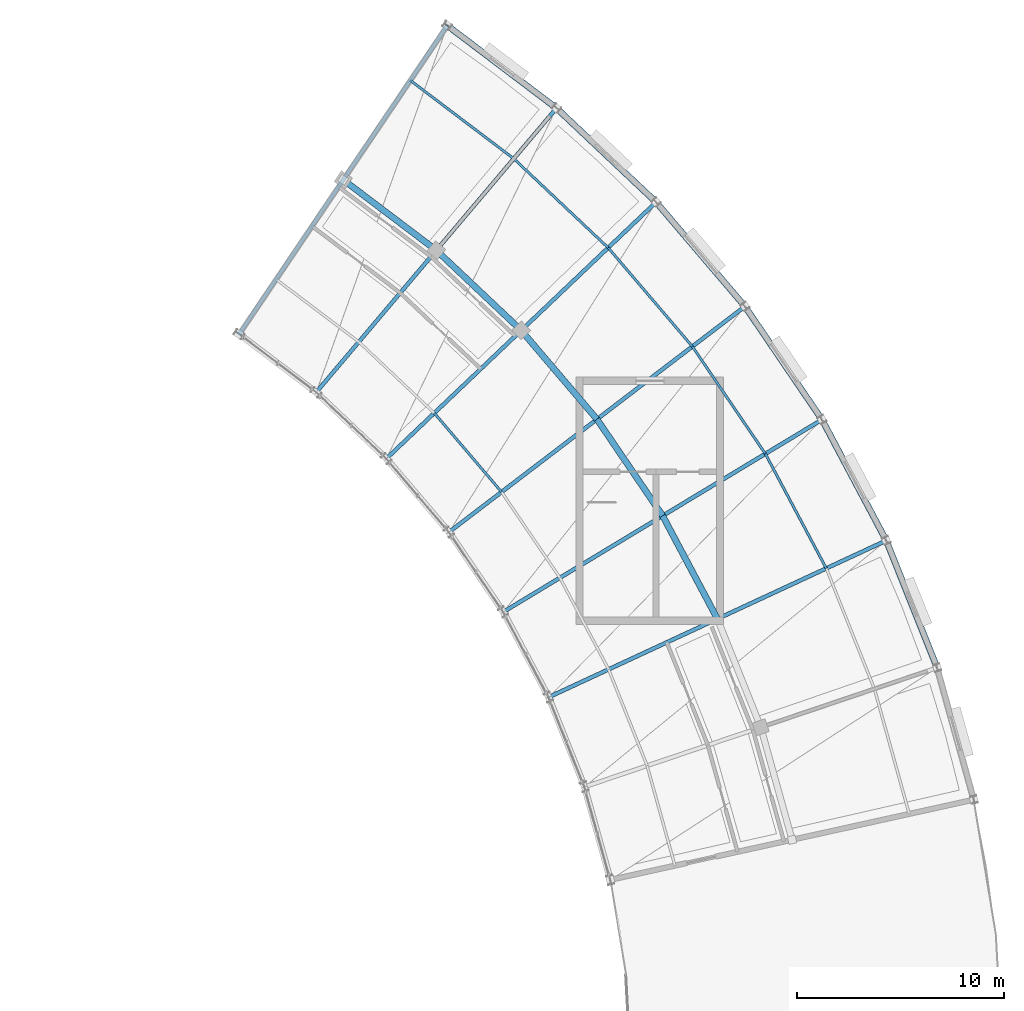
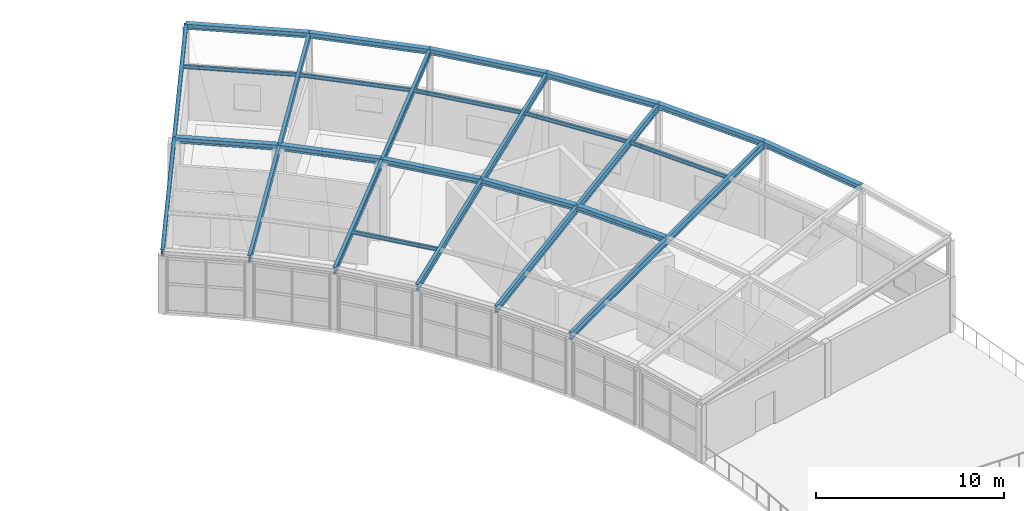
# One storey, part 15 of 36: 17 beams, 6 members.
"""IFC4 building model written with IfcOpenShell, lengths in metres."""

import ifcopenshell
import ifcopenshell.guid

model = None  # the IFC model being written
_history = None  # IfcOwnerHistory: only IFC2X3 demands one
_inside = {}  # id of a spatial element -> (the spatial element, [elements in it])
_under = {}  # id of a project, library or spatial element -> (it, [spatial elements below it])
_declared = {}  # id of a project -> (the project, [libraries it declares])
_typed = {}  # id of a type object -> (the type object, [elements of that type])
_made_of = {}  # id of a material, layer set ... -> (it, [elements and type objects made of it])


def new_model(schema):
    """Start an empty IFC model of exactly this schema.

    Asked for "IFC4X3", IfcOpenShell would pick the latest addendum, in which some entities
    have other attributes; the version numbers below select the first issue.
    IFC2X3 requires an IfcOwnerHistory on every rooted entity: one is made here for all.
    """
    global model, _history
    if schema == "IFC4X3":
        model = ifcopenshell.file(schema_version=(4, 3, 0, 0))
    else:
        model = ifcopenshell.file(schema=schema)
    _inside.clear()
    _under.clear()
    _declared.clear()
    _typed.clear()
    _made_of.clear()
    _history = None
    if model.schema == "IFC2X3":
        org = make("IfcOrganization", Name="unknown")
        user = make(
            "IfcPersonAndOrganization",
            ThePerson=make("IfcPerson", FamilyName="unknown"),
            TheOrganization=org,
        )
        app = make(
            "IfcApplication",
            ApplicationDeveloper=org,
            Version="unknown",
            ApplicationFullName="unknown",
            ApplicationIdentifier="unknown",
        )
        _history = make(
            "IfcOwnerHistory",
            OwningUser=user,
            OwningApplication=app,
            ChangeAction="ADDED",
            CreationDate=0,
        )
    return model


def make(cls, **values):
    """One entity of the class cls with the attributes given. An attribute that is None is left unset."""
    return model.create_entity(
        cls, **{name: value for name, value in values.items() if value is not None}
    )


def rooted(cls, **values):
    """An entity with a GlobalId (a new one), such as an element, a storey or a relation."""
    return make(cls, GlobalId=ifcopenshell.guid.new(), OwnerHistory=_history, **values)


def si_unit(unit_type, name, prefix=None):
    """IfcSIUnit, for example si_unit("LENGTHUNIT", "METRE", prefix="MILLI")."""
    return make("IfcSIUnit", UnitType=unit_type, Prefix=prefix, Name=name)


def assignment(units):
    """IfcUnitAssignment: the units of a project."""
    return None if units is None else make("IfcUnitAssignment", Units=units)


def point(xyz):
    """IfcCartesianPoint."""
    return None if xyz is None else make("IfcCartesianPoint", Coordinates=xyz)


def direction(xyz):
    """IfcDirection."""
    return None if xyz is None else make("IfcDirection", DirectionRatios=xyz)


def frame(location, z_axis=None, x_axis=None):
    """IfcAxis2Placement3D, a coordinate frame: its origin and axes. An axis left out is left unset."""
    return make(
        "IfcAxis2Placement3D",
        Location=point(location),
        Axis=direction(z_axis),
        RefDirection=direction(x_axis),
    )


def frame_2d(location, x_axis=None):
    """IfcAxis2Placement2D, a coordinate frame in the plane: its origin and x axis."""
    return make(
        "IfcAxis2Placement2D", Location=point(location), RefDirection=direction(x_axis)
    )


def origin():
    """The frame at (0, 0, 0) with its axes left unset."""
    return frame((0.0, 0.0, 0.0))


def origin_2d():
    """The frame at (0, 0) in the plane with its x axis left unset."""
    return frame_2d((0.0, 0.0))


def place(relative_to, where):
    """IfcLocalPlacement: puts the frame where relative to a parent placement (None: the world)."""
    return make(
        "IfcLocalPlacement", PlacementRelTo=relative_to, RelativePlacement=where
    )


def context(
    kind, dimensions, precision=None, world=None, true_north=None, identifier=None
):
    """IfcGeometricRepresentationContext, for example the 3D "Model" context."""
    return make(
        "IfcGeometricRepresentationContext",
        ContextIdentifier=identifier,
        ContextType=kind,
        CoordinateSpaceDimension=dimensions,
        Precision=precision,
        WorldCoordinateSystem=world,
        TrueNorth=true_north,
    )


def subcontext(parent, identifier, kind, view, scale=None):
    """IfcGeometricRepresentationSubContext, for example "Body" below "Model"."""
    return make(
        "IfcGeometricRepresentationSubContext",
        ContextIdentifier=identifier,
        ContextType=kind,
        ParentContext=parent,
        TargetScale=scale,
        TargetView=view,
    )


def project(units=None, contexts=None):
    """IfcProject with its units and contexts."""
    return rooted(
        "IfcProject",
        Name="project",
        RepresentationContexts=contexts,
        UnitsInContext=assignment(units),
    )


def spatial(cls, under=None, at=None, **own):
    """A site, building, storey or space (cls), placed at a placement, below another one or the project."""
    s = rooted(cls, ObjectPlacement=at, **own)
    if under is not None:
        _under.setdefault(under.id(), (under, []))[1].append(s)
    return s


def profile(cls, at=None, kind="AREA", **sizes):
    """A parametric profile (cls). Its sizes go by their IFC names, for example OverallWidth=200.0."""
    return make(cls, ProfileType=kind, Position=at, **sizes)


def i_section(**sizes):
    """IfcIShapeProfileDef."""
    return profile("IfcIShapeProfileDef", **sizes)


def extrude(swept, where, along, depth):
    """IfcExtrudedAreaSolid: the profile swept, set in the frame where, extruded along a direction by depth."""
    return make(
        "IfcExtrudedAreaSolid",
        SweptArea=swept,
        Position=where,
        ExtrudedDirection=direction(along),
        Depth=depth,
    )


def shape(context_of_items, identifier, shape_type, items):
    """IfcShapeRepresentation: the items that make up one representation, for example the "Body"."""
    return make(
        "IfcShapeRepresentation",
        ContextOfItems=context_of_items,
        RepresentationIdentifier=identifier,
        RepresentationType=shape_type,
        Items=items,
    )


def material(Name=None, Category=None):
    """IfcMaterial."""
    return make("IfcMaterial", Name=Name, Category=Category)


def material_profile(
    of_material, cross_section, Name=None, Category=None, Priority=None
):
    """IfcMaterialProfile: a cross section and its material."""
    return make(
        "IfcMaterialProfile",
        Name=Name,
        Material=of_material,
        Profile=cross_section,
        Priority=Priority,
        Category=Category,
    )


def profile_set(profiles, Name=None, composite=None):
    """IfcMaterialProfileSet."""
    return make(
        "IfcMaterialProfileSet",
        Name=Name,
        MaterialProfiles=profiles,
        CompositeProfile=composite,
    )


def made_of(thing, what):
    """Note that an element or type object is made of a material, layer set ...; save() writes the relation."""
    if what is not None:
        _made_of.setdefault(what.id(), (what, []))[1].append(thing)
    return thing


def type_object(cls, material=None, **own):
    """A type object (cls), such as IfcWallType, which elements share."""
    return made_of(rooted(cls, **own), material)


def element(
    cls,
    number,
    at=None,
    inside=None,
    cuts=None,
    type_object=None,
    material=None,
    context=None,
    identifier="Body",
    shape_type=None,
    held_by="IfcProductDefinitionShape",
    body=None,
    shapes=None,
    **own,
):
    """One element of the class cls, such as IfcWall. Its Tag is "e" and its number.

    at: its placement. inside: the storey or other place that contains it. cuts: it is an
    opening in that element (IfcRelVoidsElement). A single representation is given by context,
    identifier, shape_type and body (its items); several are given by shapes. held_by: the class
    of the entity that holds the representations. save() writes the other relations.
    """
    e = rooted(cls, Tag="e%d" % number, ObjectPlacement=at, **own)
    if body is not None:
        shapes = [shape(context, identifier, shape_type, body)]
    if shapes is not None:
        e.Representation = make(held_by, Representations=shapes)
    if inside is not None:
        _inside.setdefault(inside.id(), (inside, []))[1].append(e)
    if cuts is not None:
        rooted(
            "IfcRelVoidsElement", RelatingBuildingElement=cuts, RelatedOpeningElement=e
        )
    if type_object is not None:
        _typed.setdefault(type_object.id(), (type_object, []))[1].append(e)
    return made_of(e, material)


def aggregate(whole, parts):
    """IfcRelAggregates: a whole, such as a stair, and the parts it consists of."""
    return rooted("IfcRelAggregates", RelatingObject=whole, RelatedObjects=parts)


def save(model, path):
    """Write the relations noted so far, then the file.

    IfcRelAggregates (storeys below a building ...), IfcRelContainedInSpatialStructure (elements
    in a storey), IfcRelDefinesByType, IfcRelAssociatesMaterial and IfcRelDeclares: one each for
    every whole, place, type object, material and project.
    """
    for whole, parts in _under.values():
        aggregate(whole, parts)
    for where, things in _inside.values():
        rooted(
            "IfcRelContainedInSpatialStructure",
            RelatedElements=things,
            RelatingStructure=where,
        )
    for kind, things in _typed.values():
        rooted("IfcRelDefinesByType", RelatedObjects=things, RelatingType=kind)
    for what, things in _made_of.values():
        rooted("IfcRelAssociatesMaterial", RelatedObjects=things, RelatingMaterial=what)
    for by, libraries in _declared.values():
        rooted("IfcRelDeclares", RelatingContext=by, RelatedDefinitions=libraries)
    model.write(path)


model = new_model("IFC4")

# Units and contexts
model_context = context("Model", 3, precision=1e-05, world=origin(), true_north=direction((0.0, 1.0)))
body_context = subcontext(model_context, "Body", "Model", "MODEL_VIEW")
ifc_project = project(units=[si_unit("LENGTHUNIT", "METRE"), si_unit("AREAUNIT", "SQUARE_METRE"), si_unit("VOLUMEUNIT", "CUBIC_METRE"), si_unit("PLANEANGLEUNIT", "RADIAN"), si_unit("MASSUNIT", "GRAM", prefix="KILO")], contexts=[model_context])

# Site, building, storey
site_placement = place(None, origin())
site = spatial("IfcSite", under=ifc_project, at=site_placement, CompositionType="ELEMENT")
building_placement = place(site_placement, origin())
building = spatial("IfcBuilding", under=site, at=building_placement, Name="Tarnveldt Headland Concert Hall", CompositionType="ELEMENT")
storey_placement = place(building_placement, frame((0.0, 0.0, 22.800048828125)))
storey = spatial("IfcBuildingStorey", under=building, at=storey_placement, Name="L05", CompositionType="ELEMENT", Elevation=22.800048828125)

# Members
ifc_material = material(Name="Steel S355", Category="steel")
ifc_material_profile_1 = material_profile(ifc_material, i_section(OverallWidth=0.1201171875, OverallDepth=0.239990234375, WebThickness=0.006103515625, FlangeThickness=0.009765625, FilletRadius=0.014892578125, at=origin_2d()), Name="IPE240", Category="steel")
ifc_profile_set_1 = profile_set([ifc_material_profile_1], Name="Steel S355")
member_type = type_object("IfcMemberType", Name="PR-IPE240", PredefinedType="PURLIN", material=ifc_profile_set_1)
for number, where, z_axis, x_axis, name in (
    (1, (169.931884765625, 84.32568359375, 5.625732421875), (-0.469487125231, 0.882939317984, 0.0), (-0.882939317984, -0.469487125231, 0.0), "Crescent roof purlin 13-57"),
    (2, (166.986328125, 89.865234375, 5.625732421875), (-0.562381332785, 0.826878005836, 0.0), (-0.826878005836, -0.562381332785, 0.0), "Crescent roof purlin 14-57"),
):
    element("IfcMember", number, at=place(storey_placement, frame(where, z_axis=z_axis, x_axis=x_axis)), inside=storey, type_object=member_type, Name=name, PredefinedType="PURLIN", context=body_context, shape_type="SweptSolid", body=[
        extrude(i_section(OverallWidth=0.1201171875, OverallDepth=0.239990234375, WebThickness=0.006103515625, FlangeThickness=0.009765625, FilletRadius=0.014892578125, at=origin_2d()), origin(), (0.0, 0.0, 1.0), 6.27392578125),
    ])
member_1_placement = place(storey_placement, frame((154.234619140625, 88.01806640625, 4.2080078125), z_axis=(-0.64871614944, 0.76103045764, 0.0), x_axis=(-0.76103045764, -0.64871614944, 0.0)))
element("IfcMember", 3, at=member_1_placement, inside=storey, type_object=member_type, Name="Crescent roof purlin 15-46", PredefinedType="PURLIN", context=body_context, shape_type="SweptSolid", body=[
    extrude(i_section(OverallWidth=0.1201171875, OverallDepth=0.239990234375, WebThickness=0.006103515625, FlangeThickness=0.009765625, FilletRadius=0.014892578125, at=origin_2d()), origin(), (0.0, 0.0, 1.0), 5.014892578125),
])
for number, where, z_axis, x_axis, name in (
    (4, (163.4580078125, 95.052978515625, 5.625732421875), (-0.648741195712, 0.761009107033, 0.0), (-0.761009107033, -0.648741195712, 0.0), "Crescent roof purlin 15-57"),
    (5, (159.387939453125, 99.827392578125, 5.625732421875), (-0.727355169106, 0.686261217012, 0.0), (-0.686261217012, -0.727355169106, 0.0), "Crescent roof purlin 16-57"),
):
    element("IfcMember", number, at=place(storey_placement, frame(where, z_axis=z_axis, x_axis=x_axis)), inside=storey, type_object=member_type, Name=name, PredefinedType="PURLIN", context=body_context, shape_type="SweptSolid", body=[
        extrude(i_section(OverallWidth=0.1201171875, OverallDepth=0.239990234375, WebThickness=0.006103515625, FlangeThickness=0.009765625, FilletRadius=0.014892578125, at=origin_2d()), origin(), (0.0, 0.0, 1.0), 6.273681640625),
    ])
member_2_placement = place(storey_placement, frame((154.82470703125, 104.1328125, 5.625732421875), z_axis=(-0.797462048205, 0.603369108981, 0.0), x_axis=(-0.603369108981, -0.797462048205, 0.0)))
element("IfcMember", 6, at=member_2_placement, inside=storey, type_object=member_type, Name="Crescent roof purlin 17-57", PredefinedType="PURLIN", context=body_context, shape_type="SweptSolid", body=[
    extrude(i_section(OverallWidth=0.1201171875, OverallDepth=0.239990234375, WebThickness=0.006103515625, FlangeThickness=0.009765625, FilletRadius=0.014892578125, at=origin_2d()), origin(), (0.0, 0.0, 1.0), 6.274169921875),
])

# Beams
ifc_material_profile_2 = material_profile(ifc_material, i_section(OverallWidth=0.300048828125, OverallDepth=0.35009765625, WebThickness=0.010009765625, FlangeThickness=0.017578125, FilletRadius=0.027099609375, at=origin_2d()), Name="HEA360", Category="steel")
ifc_profile_set_2 = profile_set([ifc_material_profile_2], Name="Steel S355")
beam_type_1 = type_object("IfcBeamType", Name="SB-HEA360", PredefinedType="SPANDREL", material=ifc_profile_set_2)
beam_1_placement = place(storey_placement, frame((175.291259765625, 79.523681640625, 6.054931640625), z_axis=(-0.370996504082, 0.928634262753, 0.0), x_axis=(-0.928634262753, -0.370996504082, 0.0)))
element("IfcBeam", 7, at=beam_1_placement, inside=storey, type_object=beam_type_1, Name="Crescent L05 OUT eaves girder 12", PredefinedType="SPANDREL", context=body_context, shape_type="SweptSolid", body=[
    extrude(i_section(OverallWidth=0.300048828125, OverallDepth=0.35009765625, WebThickness=0.010009765625, FlangeThickness=0.017578125, FilletRadius=0.027099609375, at=origin_2d()), origin(), (0.0, 0.0, 1.0), 6.62158203125),
])
beam_2_placement = place(storey_placement, frame((164.67041015625, 81.884765625, 4.954833984375), z_axis=(-0.469445103848, 0.882961660817, 0.0), x_axis=(-0.882961660817, -0.469445103848, 0.0)))
element("IfcBeam", 8, at=beam_2_placement, inside=storey, type_object=beam_type_1, Name="Crescent L05 MD eaves girder 13", PredefinedType="SPANDREL", context=body_context, shape_type="SweptSolid", body=[
    extrude(i_section(OverallWidth=0.300048828125, OverallDepth=0.35009765625, WebThickness=0.010009765625, FlangeThickness=0.017578125, FilletRadius=0.027099609375, at=origin_2d()), origin(), (0.0, 0.0, 1.0), 5.644287109375),
])
beam_3_placement = place(storey_placement, frame((172.834716796875, 85.672607421875, 6.054931640625), z_axis=(-0.469462535132, 0.882952392889, 0.0), x_axis=(-0.882952392889, -0.469462535132, 0.0)))
element("IfcBeam", 9, at=beam_3_placement, inside=storey, type_object=beam_type_1, Name="Crescent L05 OUT eaves girder 13", PredefinedType="SPANDREL", context=body_context, shape_type="SweptSolid", body=[
    extrude(i_section(OverallWidth=0.300048828125, OverallDepth=0.35009765625, WebThickness=0.010009765625, FlangeThickness=0.017578125, FilletRadius=0.027099609375, at=origin_2d()), origin(), (0.0, 0.0, 1.0), 6.62109375),
])
beam_4_placement = place(storey_placement, frame((162.020751953125, 86.868408203125, 4.954833984375), z_axis=(-0.562431874243, 0.826843629011, 0.0), x_axis=(-0.826843629011, -0.562431874243, 0.0)))
element("IfcBeam", 10, at=beam_4_placement, inside=storey, type_object=beam_type_1, Name="Crescent L05 MD eaves girder 14", PredefinedType="SPANDREL", context=body_context, shape_type="SweptSolid", body=[
    extrude(i_section(OverallWidth=0.300048828125, OverallDepth=0.35009765625, WebThickness=0.010009765625, FlangeThickness=0.017578125, FilletRadius=0.027099609375, at=origin_2d()), origin(), (0.0, 0.0, 1.0), 5.644287109375),
])
beam_5_placement = place(storey_placement, frame((169.726318359375, 91.518798828125, 6.054931640625), z_axis=(-0.562428018221, 0.826846251923, 0.0), x_axis=(-0.826846251923, -0.562428018221, 0.0)))
element("IfcBeam", 11, at=beam_5_placement, inside=storey, type_object=beam_type_1, Name="Crescent L05 OUT eaves girder 14", PredefinedType="SPANDREL", context=body_context, shape_type="SweptSolid", body=[
    extrude(i_section(OverallWidth=0.300048828125, OverallDepth=0.35009765625, WebThickness=0.010009765625, FlangeThickness=0.017578125, FilletRadius=0.027099609375, at=origin_2d()), origin(), (0.0, 0.0, 1.0), 6.62109375),
])
beam_6_placement = place(storey_placement, frame((158.84619140625, 91.535400390625, 4.954833984375), z_axis=(-0.648683663071, 0.761058148412, 0.0), x_axis=(-0.761058148412, -0.648683663071, 0.0)))
element("IfcBeam", 12, at=beam_6_placement, inside=storey, type_object=beam_type_1, Name="Crescent L05 MD eaves girder 15", PredefinedType="SPANDREL", context=body_context, shape_type="SweptSolid", body=[
    extrude(i_section(OverallWidth=0.300048828125, OverallDepth=0.35009765625, WebThickness=0.010009765625, FlangeThickness=0.017578125, FilletRadius=0.027099609375, at=origin_2d()), origin(), (0.0, 0.0, 1.0), 5.644287109375),
])
beam_7_placement = place(storey_placement, frame((166.00244140625, 96.993408203125, 6.054931640625), z_axis=(-0.6487180729, 0.761028818044, 0.0), x_axis=(-0.761028818044, -0.6487180729, 0.0)))
element("IfcBeam", 13, at=beam_7_placement, inside=storey, type_object=beam_type_1, Name="Crescent L05 OUT eaves girder 15", PredefinedType="SPANDREL", context=body_context, shape_type="SweptSolid", body=[
    extrude(i_section(OverallWidth=0.300048828125, OverallDepth=0.35009765625, WebThickness=0.010009765625, FlangeThickness=0.017578125, FilletRadius=0.027099609375, at=origin_2d()), origin(), (0.0, 0.0, 1.0), 6.621337890625),
])
beam_8_placement = place(storey_placement, frame((155.184814453125, 95.8310546875, 4.954833984375), z_axis=(-0.727395689311, 0.686218267879, 0.0), x_axis=(-0.686218267879, -0.727395689311, 0.0)))
element("IfcBeam", 14, at=beam_8_placement, inside=storey, type_object=beam_type_1, Name="Crescent L05 MD eaves girder 16", PredefinedType="SPANDREL", context=body_context, shape_type="SweptSolid", body=[
    extrude(i_section(OverallWidth=0.300048828125, OverallDepth=0.35009765625, WebThickness=0.010009765625, FlangeThickness=0.017578125, FilletRadius=0.027099609375, at=origin_2d()), origin(), (0.0, 0.0, 1.0), 5.644287109375),
])
beam_9_placement = place(storey_placement, frame((161.70703125, 102.032470703125, 6.054931640625), z_axis=(-0.727346422905, 0.686270486825, 0.0), x_axis=(-0.686270486825, -0.727346422905, 0.0)))
element("IfcBeam", 15, at=beam_9_placement, inside=storey, type_object=beam_type_1, Name="Crescent L05 OUT eaves girder 16", PredefinedType="SPANDREL", context=body_context, shape_type="SweptSolid", body=[
    extrude(i_section(OverallWidth=0.300048828125, OverallDepth=0.35009765625, WebThickness=0.010009765625, FlangeThickness=0.017578125, FilletRadius=0.027099609375, at=origin_2d()), origin(), (0.0, 0.0, 1.0), 6.621337890625),
])
beam_10_placement = place(storey_placement, frame((151.0791015625, 99.704345703125, 4.954833984375), z_axis=(-0.79745475885, 0.603378743069, 0.0), x_axis=(-0.603378743069, -0.79745475885, 0.0)))
element("IfcBeam", 16, at=beam_10_placement, inside=storey, type_object=beam_type_1, Name="Crescent L05 MD eaves girder 17", PredefinedType="SPANDREL", context=body_context, shape_type="SweptSolid", body=[
    extrude(i_section(OverallWidth=0.300048828125, OverallDepth=0.35009765625, WebThickness=0.010009765625, FlangeThickness=0.017578125, FilletRadius=0.027099609375, at=origin_2d()), origin(), (0.0, 0.0, 1.0), 5.64453125),
])
beam_11_placement = place(storey_placement, frame((156.89111328125, 106.576416015625, 6.054931640625), z_axis=(-0.797479748056, 0.603345714695, 0.0), x_axis=(-0.603345714695, -0.797479748056, 0.0)))
element("IfcBeam", 17, at=beam_11_placement, inside=storey, type_object=beam_type_1, Name="Crescent L05 OUT eaves girder 17", PredefinedType="SPANDREL", context=body_context, shape_type="SweptSolid", body=[
    extrude(i_section(OverallWidth=0.300048828125, OverallDepth=0.35009765625, WebThickness=0.010009765625, FlangeThickness=0.017578125, FilletRadius=0.027099609375, at=origin_2d()), origin(), (0.0, 0.0, 1.0), 6.62109375),
])
ifc_material_profile_3 = material_profile(ifc_material, i_section(OverallWidth=0.18994140625, OverallDepth=0.449951171875, WebThickness=0.009521484375, FlangeThickness=0.0146484375, FilletRadius=0.02099609375, at=origin_2d()), Name="IPE450", Category="steel")
ifc_profile_set_3 = profile_set([ifc_material_profile_3], Name="Steel S355")
beam_type_2 = type_object("IfcBeamType", Name="SB-IPE450", PredefinedType="BEAM", material=ifc_profile_set_3)
for number, where, z_axis, x_axis, name in (
    (18, (156.50634765625, 78.096923828125, 3.804931640625), (0.900422337302, 0.417758483373, 0.12131555571), (-0.42086701073, 0.907122350777, 0.0), "Crescent sloped roof rafter 13"),
    (19, (154.315185546875, 82.218017578125, 3.804931640625), (0.849840457211, 0.512887682306, 0.121315384955), (-0.51670405209, 0.856164074552, 0.0), "Crescent sloped roof rafter 14"),
    (20, (151.690185546875, 86.077392578125, 3.804931640625), (0.789252326461, 0.601965952284, 0.121316764985), (-0.606445251753, 0.795125245874, 0.0), "Crescent sloped roof rafter 15"),
    (21, (148.662353515625, 89.62939453125, 3.804931640625), (0.719351630269, 0.683970370619, 0.121316792505), (-0.689059876948, 0.724704412834, 0.0), "Crescent sloped roof rafter 16"),
    (22, (145.267333984375, 92.83251953125, 3.804931640625), (0.640989030788, 0.75790211271, 0.121315497604), (-0.763541632343, 0.645758604805, 0.0), "Crescent sloped roof rafter 17"),
):
    element("IfcBeam", number, at=place(storey_placement, frame(where, z_axis=z_axis, x_axis=x_axis)), inside=storey, type_object=beam_type_2, Name=name, PredefinedType="BEAM", context=body_context, shape_type="SweptSolid", body=[
        extrude(i_section(OverallWidth=0.18994140625, OverallDepth=0.449951171875, WebThickness=0.009521484375, FlangeThickness=0.0146484375, FilletRadius=0.02099609375, at=origin_2d()), origin(), (0.0, 0.0, 1.0), 18.134033203125),
    ])
beam_12_placement = place(storey_placement, frame((141.54541015625, 95.648681640625, 3.804931640625), z_axis=(0.555062727053, 0.822914016341, 0.121317314288), x_axis=(-0.82903747242, 0.559193051927, 0.0)))
element("IfcBeam", 23, at=beam_12_placement, inside=storey, type_object=beam_type_2, Name="Crescent north gable roof rafter", PredefinedType="BEAM", context=body_context, shape_type="SweptSolid", body=[
    extrude(i_section(OverallWidth=0.18994140625, OverallDepth=0.449951171875, WebThickness=0.009521484375, FlangeThickness=0.0146484375, FilletRadius=0.02099609375, at=origin_2d()), origin(), (0.0, 0.0, 1.0), 18.1337890625),
])

save(model, "model.ifc")
